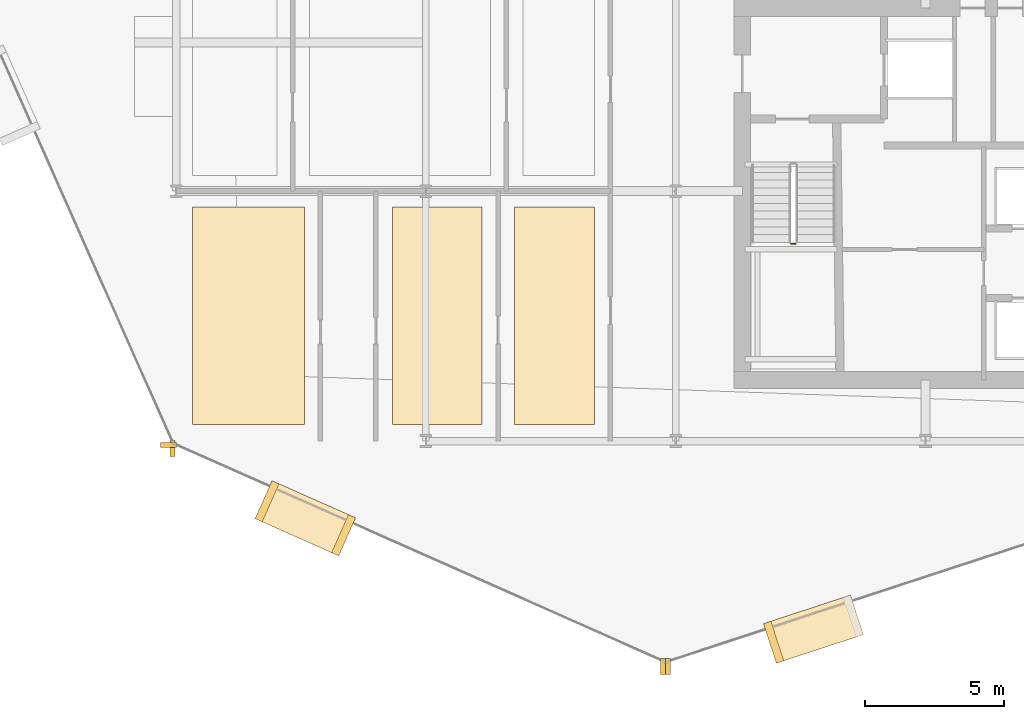
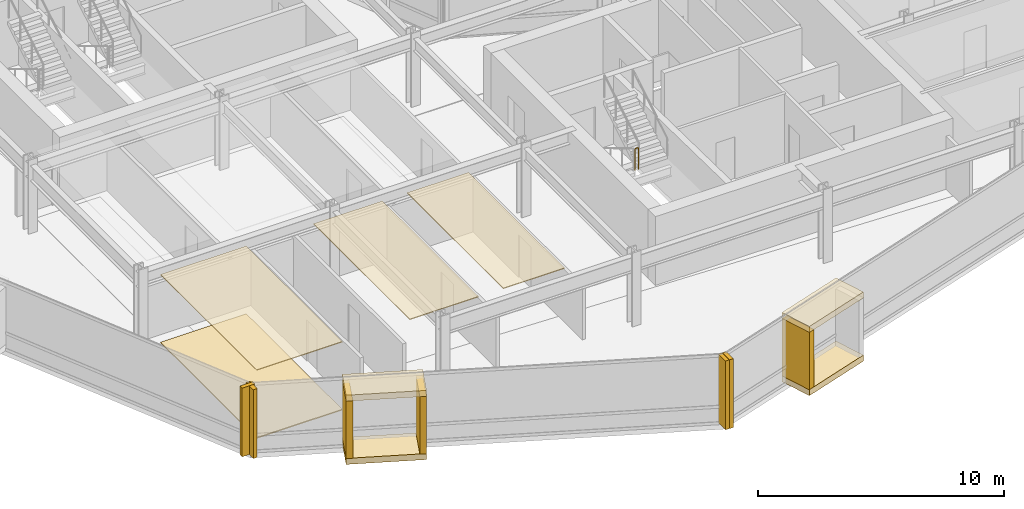
# One storey, part 25 of 29: 15 coverings, 1 railing.
"""IFC4 building model written with IfcOpenShell, lengths in metres."""

from ifc_helpers import new_model, si_unit, direction, frame, origin, origin_2d, place, context, subcontext, project, spatial, polyline, rectangle, circle, outline, extrude, material, layer, layer_set, type_object, element, save


model = new_model("IFC4")

# Units and contexts
model_context = context("Model", 3, precision=1e-05, world=origin(), true_north=direction((0.0, 1.0)))
body_context = subcontext(model_context, "Body", "Model", "MODEL_VIEW")
ifc_project = project(units=[si_unit("LENGTHUNIT", "METRE"), si_unit("AREAUNIT", "SQUARE_METRE"), si_unit("VOLUMEUNIT", "CUBIC_METRE"), si_unit("PLANEANGLEUNIT", "RADIAN"), si_unit("MASSUNIT", "GRAM", prefix="KILO")], contexts=[model_context])

# Site, building, storey
site_placement = place(None, origin())
site = spatial("IfcSite", under=ifc_project, at=site_placement, CompositionType="ELEMENT")
building_placement = place(site_placement, origin())
building = spatial("IfcBuilding", under=site, at=building_placement, Name="Solvaryn Broadcast Tower", CompositionType="ELEMENT")
storey_placement = place(building_placement, frame((0.0, 0.0, 121.10009765625)))
storey = spatial("IfcBuildingStorey", under=building, at=storey_placement, Name="L29", CompositionType="ELEMENT", Elevation=121.10009765625)

# Coverings
ifc_material_1 = material(Name="Micro-Perforated Acoustic Gypsum Ceiling", Category="concrete")
ifc_layer_1 = layer(ifc_material_1, 0.0400390625)
ifc_layer_set_1 = layer_set([ifc_layer_1], Name="CV-CEIL-ACOUSTIC")
covering_type_1 = type_object("IfcCoveringType", Name="CV-CEIL-ACOUSTIC", PredefinedType="CEILING", material=ifc_layer_set_1)
covering_1_placement = place(storey_placement, frame((0.0, 0.0, 3.3798828125)))
element("IfcCovering", 1, at=covering_1_placement, inside=storey, type_object=covering_type_1, Name="L29 Room Acoustic Ceiling 4", PredefinedType="CEILING", context=body_context, shape_type="SweptSolid", body=[
    extrude(outline(polyline([(9.60009765625, 9.60009765625), (13.6298828125, 9.60009765625), (13.6298828125, 17.429931640625), (9.60009765625, 17.429931640625), (9.60009765625, 9.60009765625)])), origin(), (0.0, 0.0, 1.0), 0.0400390625),
])
covering_2_placement = place(storey_placement, frame((0.0, 0.0, 3.3798828125)))
element("IfcCovering", 2, at=covering_2_placement, inside=storey, type_object=covering_type_1, Name="L29 Room Acoustic Ceiling 5", PredefinedType="CEILING", context=body_context, shape_type="SweptSolid", body=[
    extrude(outline(polyline([(16.800048828125, 9.60009765625), (20.030029296875, 9.60009765625), (20.030029296875, 17.429931640625), (16.800048828125, 17.429931640625), (16.800048828125, 9.60009765625)])), origin(), (0.0, 0.0, 1.0), 0.0400390625),
])
covering_3_placement = place(storey_placement, frame((0.0, 0.0, 3.3798828125)))
element("IfcCovering", 3, at=covering_3_placement, inside=storey, type_object=covering_type_1, Name="L29 Room Acoustic Ceiling 6", PredefinedType="CEILING", context=body_context, shape_type="SweptSolid", body=[
    extrude(outline(polyline([(21.199951171875, 9.60009765625), (24.080078125, 9.60009765625), (24.080078125, 17.429931640625), (21.199951171875, 17.429931640625), (21.199951171875, 9.60009765625)])), origin(), (0.0, 0.0, 1.0), 0.0400390625),
])
ifc_material_2 = material(Name="Newsroom Raised Data Access Flooring", Category="steel")
ifc_layer_2 = layer(ifc_material_2, 0.050048828125)
ifc_layer_set_2 = layer_set([ifc_layer_2], Name="CV-FLOOR-RAISED")
covering_type_2 = type_object("IfcCoveringType", Name="CV-FLOOR-RAISED", PredefinedType="FLOORING", material=ifc_layer_set_2)
covering_4_placement = place(storey_placement, origin())
element("IfcCovering", 4, at=covering_4_placement, inside=storey, type_object=covering_type_2, Name="L29 Room Acoustic Floor Finish 4", PredefinedType="FLOORING", context=body_context, shape_type="SweptSolid", body=[
    extrude(outline(polyline([(9.60009765625, 9.60009765625), (13.6298828125, 9.60009765625), (13.6298828125, 17.429931640625), (9.60009765625, 17.429931640625), (9.60009765625, 9.60009765625)])), origin(), (0.0, 0.0, 1.0), 0.0498046875),
])
ifc_material_3 = material(Name="Glazed Architectural Terracotta Rainscreen Cladding", Category="masonry")
ifc_layer_3 = layer(ifc_material_3, 0.280029296875)
ifc_layer_set_3 = layer_set([ifc_layer_3], Name="CV-TC-CLAD")
covering_type_3 = type_object("IfcCoveringType", Name="CV-TC-CLAD", PredefinedType="CLADDING", material=ifc_layer_set_3)
for number, where, z_axis, x_axis, name in (
    (5, (13.656982421875, 6.218994140625, 3.1298828125), (0.0, 0.0, 1.0), (0.913900054426, -0.405939269498, 0.0), "L29 Projecting Stone Window Box Hood 3"),
    (6, (13.656982421875, 6.218994140625, -0.01025390625), (0.0, 0.0, 1.0), (0.913900054426, -0.405939269498, 0.0), "L29 Projecting Stone Window Box Sill 3"),
):
    element("IfcCovering", number, at=place(storey_placement, frame(where, z_axis=z_axis, x_axis=x_axis)), inside=storey, type_object=covering_type_3, Name=name, PredefinedType="CLADDING", context=body_context, shape_type="SweptSolid", body=[
        extrude(rectangle(XDim=3.300048828125, YDim=1.5, at=origin_2d()), origin(), (0.0, 0.0, 1.0), 0.300048828125),
    ])
for number, where, z_axis, x_axis, name in (
    (7, (12.277099609375, 6.83203125, 0.27978515625), (0.0, 0.0, 1.0), (0.913900054426, -0.405939269498, 0.0), "L29 Projecting Stone Window Box Cheek 3-1"),
    (8, (15.037109375, 5.60595703125, 0.27978515625), (0.0, 0.0, 1.0), (0.913900054426, -0.405939269498, 0.0), "L29 Projecting Stone Window Box Cheek 3-2"),
):
    element("IfcCovering", number, at=place(storey_placement, frame(where, z_axis=z_axis, x_axis=x_axis)), inside=storey, type_object=covering_type_3, Name=name, PredefinedType="CLADDING", context=body_context, shape_type="SweptSolid", body=[
        extrude(rectangle(XDim=0.280029296875, YDim=1.5, at=origin_2d()), origin(), (0.0, 0.0, 1.0), 2.860107421875),
    ])
for number, where, z_axis, x_axis, name in (
    (9, (31.9619140625, 2.222900390625, 3.1298828125), (0.0, 0.0, 1.0), (0.950189870912, 0.311671636848, 0.0), "L29 Projecting Stone Window Box Hood 4"),
    (10, (31.9619140625, 2.222900390625, -0.01025390625), (0.0, 0.0, 1.0), (0.950189870912, 0.311671636848, 0.0), "L29 Projecting Stone Window Box Sill 4"),
):
    element("IfcCovering", number, at=place(storey_placement, frame(where, z_axis=z_axis, x_axis=x_axis)), inside=storey, type_object=covering_type_3, Name=name, PredefinedType="CLADDING", context=body_context, shape_type="SweptSolid", body=[
        extrude(rectangle(XDim=3.300048828125, YDim=1.5, at=origin_2d()), origin(), (0.0, 0.0, 1.0), 0.300048828125),
    ])
covering_5_placement = place(storey_placement, frame((30.527099609375, 1.75244140625, 0.27978515625), z_axis=(0.0, 0.0, 1.0), x_axis=(0.950189870912, 0.311671636848, 0.0)))
element("IfcCovering", 11, at=covering_5_placement, inside=storey, type_object=covering_type_3, Name="L29 Projecting Stone Window Box Cheek 4-1", PredefinedType="CLADDING", context=body_context, shape_type="SweptSolid", body=[
    extrude(rectangle(XDim=0.280029296875, YDim=1.5, at=origin_2d()), origin(), (0.0, 0.0, 1.0), 2.860107421875),
])
ifc_material_4 = material(Name="Extruded Architectural Terracotta Fin", Category="masonry")
ifc_layer_4 = layer(ifc_material_4, 0.179931640625)
ifc_layer_set_4 = layer_set([ifc_layer_4], Name="CV-TC-FIN")
covering_type_4 = type_object("IfcCoveringType", Name="CV-TC-FIN", PredefinedType="USERDEFINED", material=ifc_layer_set_4)
covering_6_placement = place(storey_placement, frame((8.731689453125, 8.86279296875, 0.0), z_axis=(0.0, 0.0, 1.0), x_axis=(1.0, 0.0, 0.0)))
element("IfcCovering", 12, at=covering_6_placement, inside=storey, type_object=covering_type_4, Name="L29 Terracotta Vertical Fin FIN-L29-DR2-M01", ObjectType="FIN", PredefinedType="USERDEFINED", context=body_context, shape_type="SweptSolid", body=[
    extrude(rectangle(XDim=0.580078125, YDim=0.179931640625, at=origin_2d()), origin(), (0.0, 0.0, 1.0), 3.419921875),
])
for number, where, z_axis, x_axis, name in (
    (13, (8.86279296875, 8.731689453125, 0.0), (0.0, 0.0, 1.0), (1.0, 0.0, 0.0), "L29 Terracotta Vertical Fin FIN-L29-DR3-M00"),
    (14, (26.535888671875, 0.8818359375, 0.0), (0.0, 0.0, 1.0), (1.0, 0.0, 0.0), "L29 Terracotta Vertical Fin FIN-L29-DR3-M01"),
    (15, (26.720703125, 0.872314453125, 0.0), (0.0, 0.0, 1.0), (1.0, 0.0, 0.0), "L29 Terracotta Vertical Fin FIN-L29-DR4-M00"),
):
    element("IfcCovering", number, at=place(storey_placement, frame(where, z_axis=z_axis, x_axis=x_axis)), inside=storey, type_object=covering_type_4, Name=name, ObjectType="FIN", PredefinedType="USERDEFINED", context=body_context, shape_type="SweptSolid", body=[
        extrude(rectangle(XDim=0.179931640625, YDim=0.580078125, at=origin_2d()), origin(), (0.0, 0.0, 1.0), 3.419921875),
    ])

# Railing
ifc_material_5 = material(Name="Painted Steel Stair Well Guard", Category="steel")
railing_type = type_object("IfcRailingType", Name="RL-STAIR-GUARD", PredefinedType="BALUSTRADE", material=ifc_material_5)
railing_placement = place(storey_placement, frame((31.159912109375, 16.110107421875, 1.849853515625)))
element("IfcRailing", 16, at=railing_placement, inside=storey, type_object=railing_type, Name="L29 ST3 stair guard 2", PredefinedType="BALUSTRADE", context=body_context, shape_type="SweptSolid", body=[
    extrude(circle(Radius=0.02392578125, at=origin_2d()), frame((0.0, 0.0, 1.076171875), z_axis=(1.0, 0.0, 0.0), x_axis=(0.0, 1.0, 0.0)), (0.0, 0.0, 1.0), 0.150146484375),
    extrude(circle(Radius=0.02099609375, at=origin_2d()), origin(), (0.0, 0.0, 1.0), 1.052001953125),
    extrude(circle(Radius=0.02099609375, at=origin_2d()), frame((0.150146484375, 0.0, 0.0)), (0.0, 0.0, 1.0), 1.052001953125),
])

save(model, "model.ifc")
